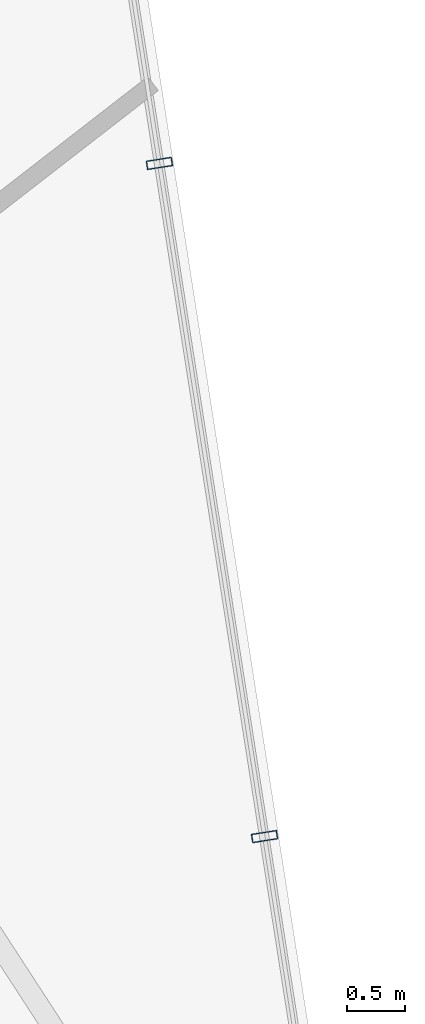
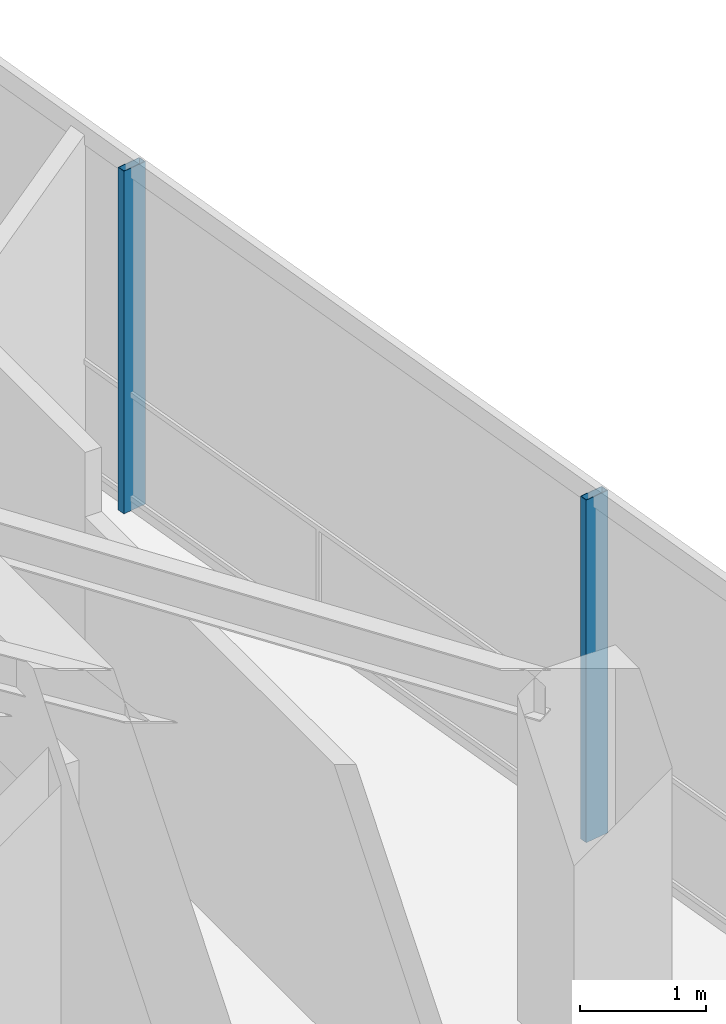
# One storey, part 11 of 19: 2 members, 1 element without a shape of its own.
"""IFC4 building model written with IfcOpenShell, lengths in metres."""

from ifc_helpers import new_model, si_unit, direction, frame, origin, origin_2d, place, context, subcontext, project, spatial, hollow_rectangle, extrude, material, layer, layer_set, material_profile, profile_set, type_object, element, aggregate, save


model = new_model("IFC4")

# Units and contexts
model_context = context("Model", 3, precision=1e-05, world=origin(), true_north=direction((0.0, 1.0)))
body_context = subcontext(model_context, "Body", "Model", "MODEL_VIEW")
ifc_project = project(units=[si_unit("LENGTHUNIT", "METRE"), si_unit("AREAUNIT", "SQUARE_METRE"), si_unit("VOLUMEUNIT", "CUBIC_METRE"), si_unit("PLANEANGLEUNIT", "RADIAN"), si_unit("MASSUNIT", "GRAM", prefix="KILO")], contexts=[model_context])

# Site, building, storey
site_placement = place(None, origin())
site = spatial("IfcSite", under=ifc_project, at=site_placement, CompositionType="ELEMENT")
building_placement = place(site_placement, origin())
building = spatial("IfcBuilding", under=site, at=building_placement, Name="Qarnah Convention Tower", CompositionType="ELEMENT")
storey_placement = place(building_placement, frame((0.0, 0.0, 213.0)))
storey = spatial("IfcBuildingStorey", under=building, at=storey_placement, Name="L57", CompositionType="ELEMENT", Elevation=213.0)

# Curtain wall, members
ifc_material_1 = material(Name="Tempered Low-E dark glass", Category="glass")
ifc_layer = layer(ifc_material_1, 0.174072265625)
ifc_layer_set = layer_set([ifc_layer], Name="Tempered Low-E dark glass")
curtain_wall_type = type_object("IfcCurtainWallType", Name="CWS-04", PredefinedType="NOTDEFINED", material=ifc_layer_set)
curtain_wall_placement = place(storey_placement, origin())
curtain_wall = element("IfcCurtainWall", 1, at=curtain_wall_placement, inside=storey, type_object=curtain_wall_type, Name="L57 unitised curtain wall CW-L57-F2", PredefinedType="NOTDEFINED")
ifc_material_2 = material(Name="Black anodised aluminium", Category="aluminium")
ifc_material_profile = material_profile(ifc_material_2, hollow_rectangle(XDim=0.074951171875, YDim=0.219970703125, WallThickness=0.0048828125, at=origin_2d()), Name="MUL-75X220")
ifc_profile_set = profile_set([ifc_material_profile], Name="Black anodised aluminium")
member_type = type_object("IfcMemberType", Name="MUL-T4", PredefinedType="MULLION", material=ifc_profile_set)
member_1_placement = place(storey_placement, frame((51.489501953125, 37.469970703125, 0.0), z_axis=(0.0, 0.0, 1.0), x_axis=(0.154360185403, -0.98801464218, 0.0)))
member_1 = element("IfcMember", 2, at=member_1_placement, type_object=member_type, Name="CW-L57-F2 mullion 2", PredefinedType="MULLION", context=body_context, shape_type="SweptSolid", body=[
    extrude(hollow_rectangle(XDim=0.074951171875, YDim=0.219970703125, WallThickness=0.0048828125, at=origin_2d()), origin(), (0.0, 0.0, 1.0), 3.320068359375),
])
member_2_placement = place(storey_placement, frame((52.391845703125, 31.694091796875, 0.0), z_axis=(0.0, 0.0, 1.0), x_axis=(0.154360185403, -0.98801464218, 0.0)))
member_2 = element("IfcMember", 3, at=member_2_placement, type_object=member_type, Name="CW-L57-F2 mullion 3", PredefinedType="MULLION", context=body_context, shape_type="SweptSolid", body=[
    extrude(hollow_rectangle(XDim=0.074951171875, YDim=0.219970703125, WallThickness=0.0048828125, at=origin_2d()), origin(), (0.0, 0.0, 1.0), 3.320068359375),
])
aggregate(curtain_wall, [member_1, member_2])

save(model, "model.ifc")
